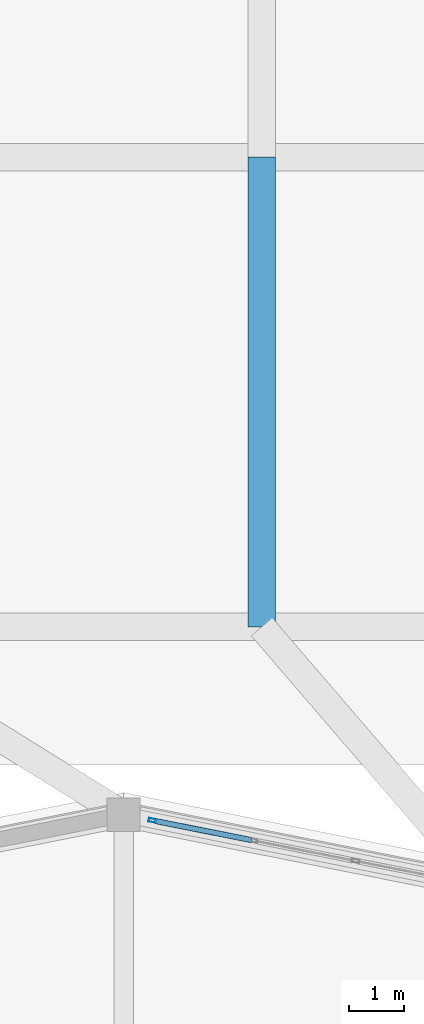
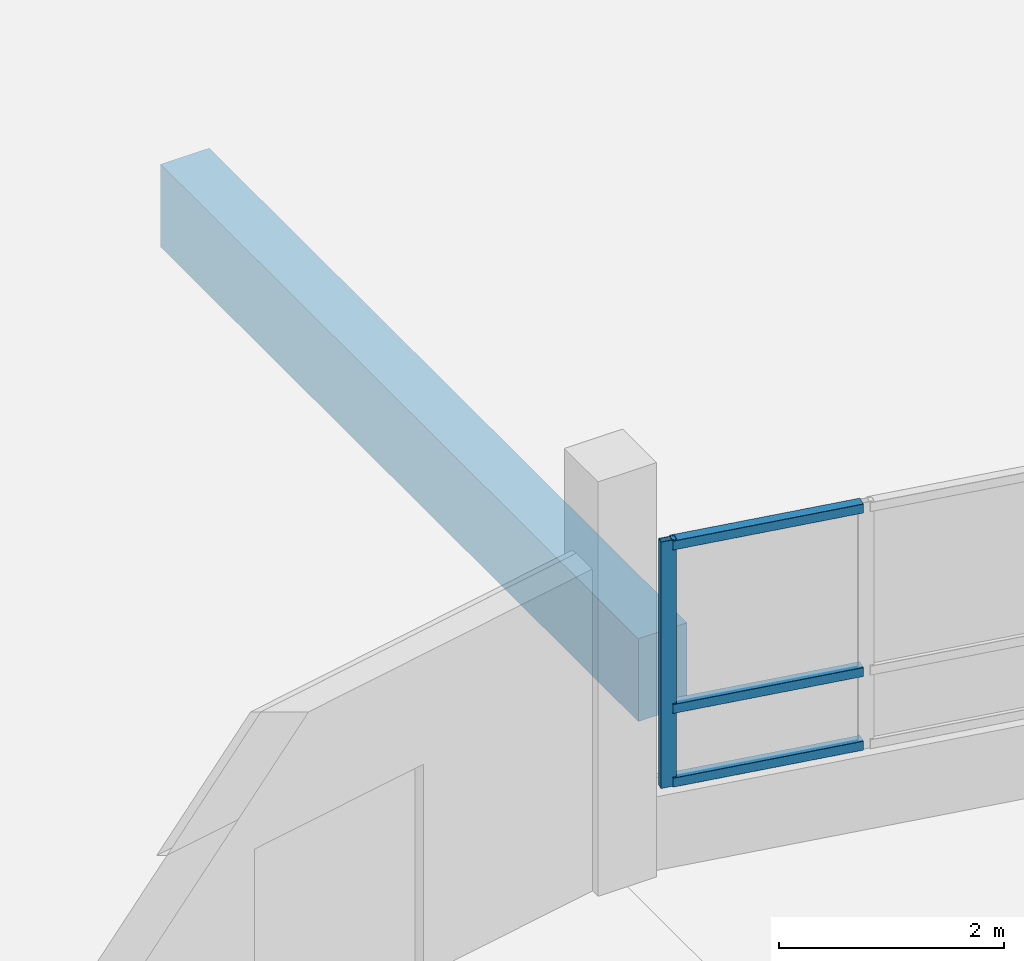
# One storey, part 83 of 129: 4 members, 1 beam, 1 element without a shape of its own.
"""IFC4 building model written with IfcOpenShell, lengths in metres."""

from ifc_helpers import new_model, si_unit, direction, frame, origin, origin_2d, place, context, subcontext, project, spatial, rectangle, hollow_rectangle, extrude, material, layer, layer_set, material_profile, profile_set, type_object, element, aggregate, save


model = new_model("IFC4")

# Units and contexts
model_context = context("Model", 3, precision=1e-05, world=origin(), true_north=direction((0.0, 1.0)))
body_context = subcontext(model_context, "Body", "Model", "MODEL_VIEW")
ifc_project = project(units=[si_unit("LENGTHUNIT", "METRE"), si_unit("AREAUNIT", "SQUARE_METRE"), si_unit("VOLUMEUNIT", "CUBIC_METRE"), si_unit("PLANEANGLEUNIT", "RADIAN"), si_unit("MASSUNIT", "GRAM", prefix="KILO")], contexts=[model_context])

# Site, building, storey
site_placement = place(None, origin())
site = spatial("IfcSite", under=ifc_project, at=site_placement, CompositionType="ELEMENT")
building_placement = place(site_placement, origin())
building = spatial("IfcBuilding", under=site, at=building_placement, Name="Vespera Passage Community Centre", CompositionType="ELEMENT")
storey_placement = place(building_placement, origin())
storey = spatial("IfcBuildingStorey", under=building, at=storey_placement, Name="L00", CompositionType="ELEMENT", Elevation=0.0)

# Beam
ifc_material_1 = material(Name="Concrete f'c 45 MPa", Category="concrete")
ifc_material_profile_1 = material_profile(ifc_material_1, rectangle(XDim=0.5, YDim=0.89990234375, at=origin_2d()), Name="RC500X900")
ifc_profile_set_1 = profile_set([ifc_material_profile_1], Name="Concrete f'c 45 MPa")
beam_type = type_object("IfcBeamType", Name="BM-G-500X900", PredefinedType="BEAM", material=ifc_profile_set_1)
beam_placement = place(storey_placement, frame((143.5, 45.5, -0.7900390625), z_axis=(0.0, 1.0, 0.0), x_axis=(-1.0, 0.0, 0.0)))
element("IfcBeam", 1, at=beam_placement, inside=storey, type_object=beam_type, Name="B1 Car Park Deck Girder GAR-C31-GAR-C32", PredefinedType="BEAM", context=body_context, shape_type="SweptSolid", body=[
    extrude(rectangle(XDim=0.5, YDim=0.89990234375, at=origin_2d()), origin(), (0.0, 0.0, 1.0), 8.5),
])

# Curtain wall, members
ifc_material_2 = material(Name="Anodized aluminium 6063-T6", Category="aluminium")
ifc_layer = layer(ifc_material_2, 0.159912109375)
ifc_layer_set = layer_set([ifc_layer], Name="Anodized aluminium 6063-T6")
curtain_wall_type = type_object("IfcCurtainWallType", Name="CW-101E", PredefinedType="NOTDEFINED", material=ifc_layer_set)
curtain_wall_placement = place(storey_placement, origin())
curtain_wall = element("IfcCurtainWall", 2, at=curtain_wall_placement, inside=storey, type_object=curtain_wall_type, Name="Dining Drum Ribbon Curtain Wall L00.4", PredefinedType="NOTDEFINED")
ifc_material_3 = material(Name="Anodized aluminium 6063-T6", Category="aluminium")
ifc_material_profile_2 = material_profile(ifc_material_3, hollow_rectangle(XDim=0.06494140625, YDim=0.14990234375, WallThickness=0.00390625, InnerFilletRadius=0.001953125, OuterFilletRadius=0.00390625, at=origin_2d()), Name="ALU150X65X4")
ifc_profile_set_2 = profile_set([ifc_material_profile_2], Name="Anodized aluminium 6063-T6")
member_type_1 = type_object("IfcMemberType", Name="MB-CWM-150E", PredefinedType="MULLION", material=ifc_profile_set_2)
member_1_placement = place(storey_placement, frame((141.528076171875, 41.994873046875, 0.800048828125), z_axis=(0.0, 0.0, 1.0), x_axis=(0.195096778691, 0.980783996069, 0.0)))
member_1 = element("IfcMember", 3, at=member_1_placement, type_object=member_type_1, Name="CW-101E mullion 1", PredefinedType="MULLION", context=body_context, shape_type="SweptSolid", body=[
    extrude(hollow_rectangle(XDim=0.06494140625, YDim=0.14990234375, WallThickness=0.00390625, InnerFilletRadius=0.001953125, OuterFilletRadius=0.00390625, at=origin_2d()), origin(), (0.0, 0.0, 1.0), 2.675048828125),
])
ifc_material_4 = material(Name="Anodized aluminium 6063-T6", Category="aluminium")
ifc_material_profile_3 = material_profile(ifc_material_4, hollow_rectangle(XDim=0.10009765625, YDim=0.10009765625, WallThickness=0.00390625, InnerFilletRadius=0.001953125, OuterFilletRadius=0.00390625, at=origin_2d()), Name="ALU100X100X4")
ifc_profile_set_3 = profile_set([ifc_material_profile_3], Name="Anodized aluminium 6063-T6")
member_type_2 = type_object("IfcMemberType", Name="MB-CWT-100E", PredefinedType="USERDEFINED", material=ifc_profile_set_3)
member_2_placement = place(storey_placement, frame((141.56005859375, 41.988525390625, 0.85009765625), z_axis=(0.980805694528, -0.194987665203, 0.0), x_axis=(0.194987665203, 0.980805694528, 0.0)))
member_2 = element("IfcMember", 4, at=member_2_placement, type_object=member_type_2, Name="CW-101E transom 1.1", ObjectType="TRANSOM", PredefinedType="USERDEFINED", context=body_context, shape_type="SweptSolid", body=[
    extrude(hollow_rectangle(XDim=0.10009765625, YDim=0.10009765625, WallThickness=0.00390625, InnerFilletRadius=0.001953125, OuterFilletRadius=0.00390625, at=origin_2d()), origin(), (0.0, 0.0, 1.0), 1.789306640625),
])
member_3_placement = place(storey_placement, frame((141.56005859375, 41.988525390625, 1.64990234375), z_axis=(0.980805694528, -0.194987665203, 0.0), x_axis=(0.194987665203, 0.980805694528, 0.0)))
member_3 = element("IfcMember", 5, at=member_3_placement, type_object=member_type_2, Name="CW-101E transom 1.2", ObjectType="TRANSOM", PredefinedType="USERDEFINED", context=body_context, shape_type="SweptSolid", body=[
    extrude(hollow_rectangle(XDim=0.10009765625, YDim=0.10009765625, WallThickness=0.00390625, InnerFilletRadius=0.001953125, OuterFilletRadius=0.00390625, at=origin_2d()), origin(), (0.0, 0.0, 1.0), 1.789306640625),
])
member_4_placement = place(storey_placement, frame((141.56005859375, 41.988525390625, 3.425048828125), z_axis=(0.980805694528, -0.194987665203, 0.0), x_axis=(0.194987665203, 0.980805694528, 0.0)))
member_4 = element("IfcMember", 6, at=member_4_placement, type_object=member_type_2, Name="CW-101E transom 1.3", ObjectType="TRANSOM", PredefinedType="USERDEFINED", context=body_context, shape_type="SweptSolid", body=[
    extrude(hollow_rectangle(XDim=0.10009765625, YDim=0.10009765625, WallThickness=0.00390625, InnerFilletRadius=0.001953125, OuterFilletRadius=0.00390625, at=origin_2d()), origin(), (0.0, 0.0, 1.0), 1.789306640625),
])
aggregate(curtain_wall, [member_1, member_2, member_3, member_4])

save(model, "model.ifc")
